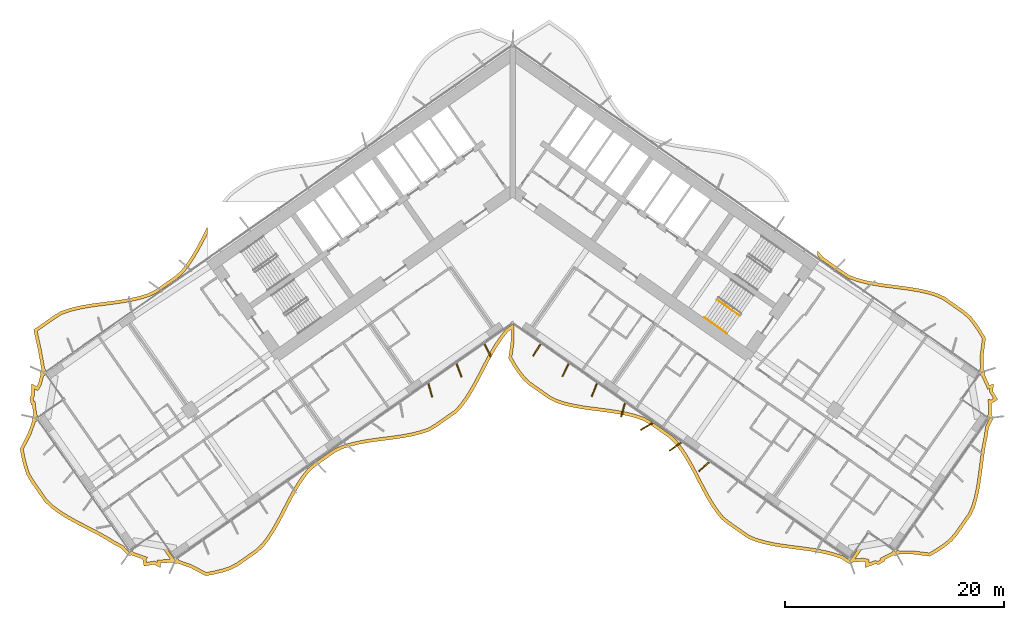
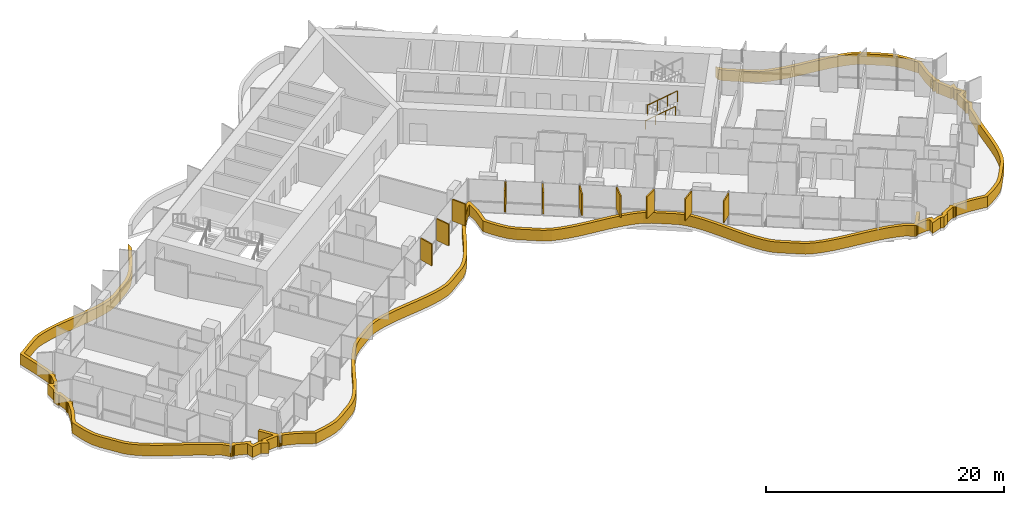
# One storey, part 21 of 24: 11 shading devices, 2 railings.
"""IFC4 building model written with IfcOpenShell, lengths in metres."""

from ifc_helpers import new_model, si_unit, direction, frame, origin, origin_2d, place, context, subcontext, project, spatial, polyline, rectangle, circle, outline, extrude, material, layer, layer_set, type_object, element, save


model = new_model("IFC4")

# Units and contexts
model_context = context("Model", 3, precision=1e-05, world=origin(), true_north=direction((0.0, 1.0)))
body_context = subcontext(model_context, "Body", "Model", "MODEL_VIEW")
ifc_project = project(units=[si_unit("LENGTHUNIT", "METRE"), si_unit("AREAUNIT", "SQUARE_METRE"), si_unit("VOLUMEUNIT", "CUBIC_METRE"), si_unit("PLANEANGLEUNIT", "RADIAN"), si_unit("MASSUNIT", "GRAM", prefix="KILO")], contexts=[model_context])

# Site, building, storey
site_placement = place(None, origin())
site = spatial("IfcSite", under=ifc_project, at=site_placement, CompositionType="ELEMENT")
building_placement = place(site_placement, origin())
building = spatial("IfcBuilding", under=site, at=building_placement, Name="Tel Ilan Convention Tower", CompositionType="ELEMENT")
storey_placement = place(building_placement, frame((0.0, 0.0, 65.300048828125)))
storey = spatial("IfcBuildingStorey", under=building, at=storey_placement, Name="L11", CompositionType="ELEMENT", Elevation=65.300048828125)

# Shading devices
ifc_material_1 = material(Name="Aluminium, bronze anodised", Category="aluminium")
ifc_layer_1 = layer(ifc_material_1, 0.1201171875)
ifc_layer_set_1 = layer_set([ifc_layer_1], Name="FIN BRONZE 1300x120")
shading_device_type_1 = type_object("IfcShadingDeviceType", Name="FIN BRONZE 1300x120", PredefinedType="USERDEFINED", material=ifc_layer_set_1)
for number, where, z_axis, x_axis, name in (
    (1, (-7.5244140625, -18.858642578125, 1.10009765625), (0.0, 0.0, 1.0), (0.268172612768, -0.963370878614, 0.0), "FIN"),
    (2, (-4.897705078125, -17.034912109375, 1.10009765625), (0.0, 0.0, 1.0), (0.360177724803, -0.932883704733, 0.0), "FIN"),
    (3, (-2.2734375, -15.205078125, 1.10009765625), (0.0, 0.0, 1.0), (0.448799180206, -0.893632640321, 0.0), "FIN"),
    (4, (2.221923828125, -15.16943359375, 1.10009765625), (0.0, 0.0, 1.0), (-0.533204432798, -0.845986425922, 0.0), "FIN"),
    (5, (4.843505859375, -17.004638671875, 1.10009765625), (0.0, 0.0, 1.0), (-0.448799180206, -0.893632640321, 0.0), "FIN"),
    (6, (7.4677734375, -18.83447265625, 1.10009765625), (0.0, 0.0, 1.0), (-0.360177724803, -0.932883704733, 0.0), "FIN"),
    (7, (10.09423828125, -20.658203125, 1.10009765625), (0.0, 0.0, 1.0), (-0.268172612768, -0.963370878614, 0.0), "FIN"),
    (8, (12.2724609375, -22.160888671875, 1.10009765625), (0.0, 0.0, 1.0), (-0.866025403784, -0.5, 0.0), "FIN"),
    (9, (14.879638671875, -24.009033203125, 1.10009765625), (0.0, 0.0, 1.0), (-0.813552070258, -0.581492071294, 0.0), "FIN"),
    (10, (17.491943359375, -25.853271484375, 1.10009765625), (0.0, 0.0, 1.0), (-0.753435896329, -0.657521368568, 0.0), "FIN"),
):
    element("IfcShadingDevice", number, at=place(storey_placement, frame(where, z_axis=z_axis, x_axis=x_axis)), inside=storey, type_object=shading_device_type_1, Name=name, ObjectType="FIN", PredefinedType="USERDEFINED", context=body_context, shape_type="SweptSolid", body=[
        extrude(rectangle(XDim=1.300048828125, YDim=0.1201171875, at=origin_2d()), origin(), (0.0, 0.0, 1.0), 2.219970703125),
    ])
ifc_material_2 = material(Name="Aluminium, bronze anodised", Category="aluminium")
ifc_layer_2 = layer(ifc_material_2, 0.300048828125)
ifc_layer_set_2 = layer_set([ifc_layer_2], Name="LOUVRE BAND 300x1100")
shading_device_type_2 = type_object("IfcShadingDeviceType", Name="LOUVRE BAND 300x1100", PredefinedType="USERDEFINED", material=ifc_layer_set_2)
shading_device_placement = place(storey_placement, origin())
element("IfcShadingDevice", 11, at=shading_device_placement, inside=storey, type_object=shading_device_type_2, Name="LOUVRE BAND 12.01", ObjectType="LOUVRE", PredefinedType="USERDEFINED", context=body_context, shape_type="SweptSolid", body=[
    extrude(outline(polyline([(-44.2939453125, -22.77490234375), (-45.028564453125, -24.204833984375), (-44.876953125, -25.01416015625), (-44.68408203125, -25.794677734375), (-44.4384765625, -26.538330078125), (-44.07080078125, -27.196533203125), (-42.7802734375, -29.03955078125), (-42.232421875, -29.571533203125), (-41.598876953125, -30.04345703125), (-40.91650390625, -30.481201171875), (-40.196533203125, -30.892822265625), (-39.45263671875, -31.287353515625), (-37.949462890625, -32.066162109375), (-37.219970703125, -32.470947265625), (-36.523681640625, -32.89892578125), (-35.783203125, -33.2958984375), (-35.26318359375, -33.847412109375), (-35.258544921875, -33.843994140625), (-35.2294921875, -33.887451171875), (-35.13232421875, -33.952392578125), (-35.017578125, -33.975341796875), (-34.902587890625, -33.952392578125), (-34.8486328125, -33.91650390625), (-33.810546875, -34.284912109375), (-33.821533203125, -34.302734375), (-33.688720703125, -34.9423828125), (-32.80029296875, -34.774658203125), (-32.20068359375, -35.082763671875), (-32.199462890625, -34.66796875), (-31.080322265625, -34.580810546875), (-31.051513671875, -34.624267578125), (-30.9541015625, -34.689208984375), (-30.83935546875, -34.7119140625), (-30.724365234375, -34.689208984375), (-30.67041015625, -34.653076171875), (-29.47802734375, -35.069091796875), (-28.049560546875, -35.822265625), (-27.250732421875, -35.676025390625), (-26.48095703125, -35.488525390625), (-25.74609375, -35.2509765625), (-25.0888671875, -34.90234375), (-23.27490234375, -33.63232421875), (-22.733642578125, -33.117919921875), (-22.262939453125, -32.50341796875), (-21.826416015625, -31.839599609375), (-21.4169921875, -31.13720703125), (-21.026123046875, -30.408935546875), (-20.2607421875, -28.927978515625), (-19.86669921875, -28.20361328125), (-19.45263671875, -27.5078125), (-19.010009765625, -26.85302734375), (-18.53173828125, -26.249267578125), (-17.96875, -25.76611328125), (-16.154541015625, -24.495849609375), (-15.474853515625, -24.1796875), (-14.732666015625, -23.952880859375), (-13.95654296875, -23.774169921875), (-13.154296875, -23.6328125), (-12.334716796875, -23.516357421875), (-10.681640625, -23.30322265625), (-9.86767578125, -23.178466796875), (-9.074951171875, -23.023681640625), (-8.3115234375, -22.8271484375), (-7.584228515625, -22.57861328125), (-6.9482421875, -22.2001953125), (-5.134033203125, -20.929931640625), (-4.616455078125, -20.38232421875), (-4.15283203125, -19.75732421875), (-3.722412109375, -19.0849609375), (-3.3173828125, -18.37646484375), (-2.9287109375, -17.644287109375), (-2.16259765625, -16.16455078125), (-1.765380859375, -15.44482421875), (-1.346435546875, -14.75634765625), (-0.897216796875, -14.110595703125), (-0.422119140625, -13.502197265625), (-0.16796875, -13.31494140625), (-0.15185546875, -14.322021484375), (-0.37109375, -15.922119140625), (0.03955078125, -16.62255859375), (0.47900390625, -17.281982421875), (0.95361328125, -17.89111328125), (1.505859375, -18.389404296875), (3.320068359375, -19.65966796875), (3.98828125, -19.9921875), (4.726806640625, -20.224609375), (5.499755859375, -20.407470703125), (6.2998046875, -20.552001953125), (7.1181640625, -20.67041015625), (8.771484375, -20.883056640625), (9.5869140625, -21.005615234375), (10.38232421875, -21.15673828125), (11.14892578125, -21.3486328125), (11.880126953125, -21.591796875), (12.5263671875, -21.95556640625), (14.340576171875, -23.225830078125), (14.8701171875, -23.75634765625), (15.337158203125, -24.376220703125), (15.770751953125, -25.044189453125), (16.177734375, -25.749755859375), (16.567626953125, -26.480224609375), (17.333251953125, -27.960693359375), (17.728759765625, -28.682861328125), (18.145263671875, -29.375), (18.59130859375, -30.025146484375), (19.073486328125, -30.62353515625), (19.646728515625, -31.091796875), (21.460693359375, -32.362060546875), (22.15234375, -32.6611328125), (22.898193359375, -32.883056640625), (23.67724609375, -33.057373046875), (24.481689453125, -33.19580078125), (25.302490234375, -33.310546875), (26.955078125, -33.5244140625), (27.767333984375, -33.6513671875), (28.5576171875, -33.809814453125), (29.31787109375, -34.010986328125), (30.052001953125, -34.24951171875), (30.667236328125, -34.65771484375), (30.67041015625, -34.653076171875), (30.724365234375, -34.689208984375), (30.83935546875, -34.7119140625), (30.9541015625, -34.689208984375), (31.051513671875, -34.624267578125), (31.080322265625, -34.580810546875), (32.01025390625, -34.49951171875), (32.267822265625, -34.55126953125), (32.20068359375, -35.082763671875), (33.17138671875, -34.73291015625), (33.477294921875, -34.794189453125), (34.032958984375, -34.450927734375), (33.979248046875, -34.3603515625), (34.8486328125, -33.91650390625), (34.902587890625, -33.952392578125), (35.017578125, -33.975341796875), (35.13232421875, -33.952392578125), (35.2294921875, -33.887451171875), (35.258544921875, -33.843994140625), (36.55078125, -33.833251953125), (38.145751953125, -34.034423828125), (38.8544921875, -33.615234375), (39.521728515625, -33.1669921875), (40.13671875, -32.681884765625), (40.62939453125, -32.111328125), (41.919921875, -30.268310546875), (42.232421875, -29.571533203125), (42.45947265625, -28.814697265625), (42.63720703125, -28.023681640625), (42.77783203125, -27.20654296875), (42.89404296875, -26.372314453125), (43.11181640625, -24.693603515625), (43.24267578125, -23.86962890625), (43.40673828125, -23.069091796875), (43.5263671875, -22.2373046875), (43.866943359375, -21.56005859375), (43.8623046875, -21.556884765625), (43.898193359375, -21.5029296875), (43.921142578125, -21.387939453125), (43.898193359375, -21.273193359375), (43.833251953125, -21.17578125), (43.7900390625, -21.14697265625), (43.78125, -20.04541015625), (43.8017578125, -20.049560546875), (44.357177734375, -19.7060546875), (43.89599609375, -18.9287109375), (43.98046875, -18.259765625), (43.590087890625, -18.400634765625), (43.12548828125, -17.378662109375), (43.16162109375, -17.32470703125), (43.184326171875, -17.2099609375), (43.16162109375, -17.094970703125), (43.096435546875, -16.997802734375), (43.05322265625, -16.96875), (43.041259765625, -15.681884765625), (43.245849609375, -14.085693359375), (42.828125, -13.378662109375), (42.38134765625, -12.712646484375), (41.898193359375, -12.098876953125), (41.330810546875, -11.605224609375), (39.492919921875, -10.318359375), (38.80126953125, -10.001953125), (38.0478515625, -9.774169921875), (37.260009765625, -9.595458984375), (36.44580078125, -9.4541015625), (35.614501953125, -9.337646484375), (33.940185546875, -9.120849609375), (33.117919921875, -8.99169921875), (32.318115234375, -8.830078125), (31.54931640625, -8.623779296875), (30.819091796875, -8.36279296875), (30.191162109375, -7.955810546875), (28.35693359375, -6.66357421875), (27.874755859375, -6.095458984375), (27.874755859375, -6.55908203125), (28.15234375, -6.88623046875), (30.0234375, -8.20458984375), (30.68505859375, -8.633544921875), (31.4599609375, -8.910400390625), (32.249267578125, -9.1220703125), (33.064697265625, -9.286865234375), (33.897216796875, -9.417724609375), (35.574951171875, -9.635009765625), (36.3994140625, -9.750732421875), (37.201171875, -9.8896484375), (37.97119140625, -10.064453125), (38.695068359375, -10.283447265625), (39.34326171875, -10.57958984375), (41.145751953125, -11.841796875), (41.679931640625, -12.306640625), (42.138427734375, -12.889404296875), (42.57421875, -13.53857421875), (42.935302734375, -14.149658203125), (42.740966796875, -15.66455078125), (42.75537109375, -16.87109375), (42.638671875, -17.037841796875), (42.88427734375, -17.2099609375), (42.712890625, -17.4560546875), (42.890625, -17.580322265625), (43.430908203125, -18.77685546875), (43.621337890625, -18.7080078125), (43.58544921875, -18.9931640625), (43.948974609375, -19.605712890625), (43.74462890625, -19.732177734375), (43.477294921875, -19.678466796875), (43.4921875, -21.049072265625), (43.37548828125, -21.216064453125), (43.62109375, -21.387939453125), (43.44970703125, -21.63427734375), (43.482421875, -21.656982421875), (43.236328125, -22.146240234375), (43.111083984375, -23.017578125), (42.947265625, -23.816162109375), (42.81494140625, -24.650390625), (42.5966796875, -26.332763671875), (42.481201171875, -27.160400390625), (42.343017578125, -27.96533203125), (42.1689453125, -28.73876953125), (41.95068359375, -29.466552734375), (41.657958984375, -30.11962890625), (40.392333984375, -31.9267578125), (39.928466796875, -32.464111328125), (39.344970703125, -32.92431640625), (38.6943359375, -33.361328125), (38.081298828125, -33.72412109375), (36.56787109375, -33.533203125), (35.3564453125, -33.54638671875), (35.189453125, -33.429443359375), (35.017578125, -33.67529296875), (34.771240234375, -33.50390625), (34.642822265625, -33.6875), (33.5576171875, -34.23779296875), (33.62451171875, -34.3505859375), (33.42041015625, -34.476806640625), (33.1484375, -34.422119140625), (32.559814453125, -34.634521484375), (32.600341796875, -34.31201171875), (32.026611328125, -34.19677734375), (31.310302734375, -34.26220703125), (32.117919921875, -33.109130859375), (31.8720703125, -32.93701171875), (30.83935546875, -34.412109375), (30.593505859375, -34.239990234375), (30.58935546875, -34.24609375), (30.183837890625, -33.976806640625), (29.402587890625, -33.722900390625), (28.62548828125, -33.517333984375), (27.81982421875, -33.35595703125), (26.997802734375, -33.227294921875), (25.342041015625, -33.01318359375), (24.52783203125, -32.8994140625), (23.735595703125, -32.76318359375), (22.973876953125, -32.592529296875), (22.255126953125, -32.378662109375), (21.60791015625, -32.0986328125), (19.827880859375, -30.852294921875), (19.287353515625, -30.410888671875), (18.83203125, -29.845947265625), (18.397705078125, -29.212646484375), (17.989013671875, -28.533203125), (17.597900390625, -27.8193359375), (16.833251953125, -26.3408203125), (16.440185546875, -25.604248046875), (16.026611328125, -24.8876953125), (15.583251953125, -24.2041015625), (15.09716796875, -23.55908203125), (14.5341796875, -22.9951171875), (12.6865234375, -21.701171875), (12.001953125, -21.316162109375), (11.23291015625, -21.060546875), (10.44677734375, -20.863525390625), (9.63720703125, -20.709716796875), (8.81298828125, -20.5859375), (7.15869140625, -20.373046875), (6.347900390625, -20.255859375), (5.56103515625, -20.11376953125), (4.806396484375, -19.93505859375), (4.100830078125, -19.713134765625), (3.4736328125, -19.401123046875), (1.693115234375, -18.154296875), (1.17431640625, -17.68603515625), (0.72265625, -17.106201171875), (0.294189453125, -16.46337890625), (-0.059814453125, -15.85986328125), (0.1484375, -14.340087890625), (0.12548828125, -12.906005859375), (0.0, -12.818115234375), (-0.63330078125, -13.285400390625), (-1.138916015625, -13.9326171875), (-1.597900390625, -14.592529296875), (-2.025146484375, -15.294189453125), (-2.427001953125, -16.022705078125), (-3.19482421875, -17.50537109375), (-3.580078125, -18.231689453125), (-3.979248046875, -18.929443359375), (-4.39990234375, -19.5869140625), (-4.8466796875, -20.189208984375), (-5.3310546875, -20.70166015625), (-7.111083984375, -21.947998046875), (-7.7109375, -22.304931640625), (-8.3974609375, -22.53955078125), (-9.14111328125, -22.73095703125), (-9.919189453125, -22.8828125), (-10.723876953125, -23.006103515625), (-12.374755859375, -23.218994140625), (-13.201416015625, -23.33642578125), (-14.016357421875, -23.47998046875), (-14.810302734375, -23.662841796875), (-15.58251953125, -23.89892578125), (-16.30517578125, -24.235107421875), (-18.15283203125, -25.52880859375), (-18.748779296875, -26.040283203125), (-19.252197265625, -26.675537109375), (-19.7060546875, -27.346923828125), (-20.12744140625, -28.05517578125), (-20.525634765625, -28.787109375), (-21.29150390625, -30.26904296875), (-21.678955078125, -30.99072265625), (-22.08154296875, -31.681640625), (-22.507568359375, -32.32958984375), (-22.95751953125, -32.916748046875), (-23.46533203125, -33.3994140625), (-25.245849609375, -34.64599609375), (-25.86328125, -34.9736328125), (-26.5625, -35.19970703125), (-27.313232421875, -35.38232421875), (-28.00146484375, -35.508544921875), (-29.3583984375, -34.79296875), (-30.477294921875, -34.406005859375), (-30.593505859375, -34.239990234375), (-30.83935546875, -34.412109375), (-31.8720703125, -32.93701171875), (-32.117919921875, -33.109130859375), (-31.28515625, -34.29833984375), (-32.498779296875, -34.3896484375), (-32.499267578125, -34.59228515625), (-32.7548828125, -34.4609375), (-33.454833984375, -34.593017578125), (-33.503662109375, -34.35791015625), (-33.361572265625, -34.124755859375), (-34.655029296875, -33.669921875), (-34.771240234375, -33.50390625), (-35.017578125, -33.67529296875), (-35.189453125, -33.429443359375), (-35.222900390625, -33.452880859375), (-35.598388671875, -33.054443359375), (-36.374267578125, -32.638671875), (-37.068603515625, -32.211669921875), (-37.807373046875, -31.802001953125), (-39.313720703125, -31.021240234375), (-40.052001953125, -30.6298828125), (-40.760986328125, -30.224609375), (-41.42822265625, -29.796630859375), (-42.03759765625, -29.342529296875), (-42.551025390625, -28.84423828125), (-43.81640625, -27.036865234375), (-44.16259765625, -26.4169921875), (-44.3955078125, -25.71142578125), (-44.583740234375, -24.950439453125), (-44.71484375, -24.25048828125), (-44.017822265625, -22.8935546875), (-43.61572265625, -21.75048828125), (-43.44970703125, -21.63427734375), (-43.62109375, -21.387939453125), (-43.37548828125, -21.216064453125), (-43.50439453125, -21.03173828125), (-43.650390625, -19.823974609375), (-43.779296875, -19.84814453125), (-43.828125, -19.613037109375), (-43.683837890625, -19.376220703125), (-43.681884765625, -18.75048828125), (-43.392822265625, -18.89892578125), (-43.088134765625, -18.399169921875), (-42.8681640625, -17.564697265625), (-42.712890625, -17.4560546875), (-42.88427734375, -17.2099609375), (-42.638671875, -17.037841796875), (-42.772705078125, -16.846435546875), (-43.07080078125, -15.1611328125), (-43.445556640625, -13.4521484375), (-41.779296875, -12.285400390625), (-41.1748046875, -11.917724609375), (-40.481201171875, -11.678466796875), (-39.728515625, -11.483642578125), (-38.940185546875, -11.32958984375), (-38.125, -11.204833984375), (-36.4521484375, -10.9892578125), (-35.61474609375, -10.869140625), (-34.790283203125, -10.7216796875), (-33.988037109375, -10.532958984375), (-33.2060546875, -10.2880859375), (-32.48779296875, -9.93017578125), (-30.61474609375, -8.61865234375), (-30.02783203125, -8.073974609375), (-29.527587890625, -7.424560546875), (-29.074462890625, -6.73681640625), (-28.652587890625, -6.013916015625), (-28.2529296875, -5.268798828125), (-27.874755859375, -4.535400390625), (-27.874755859375, -3.883544921875), (-28.518310546875, -5.129150390625), (-28.91455078125, -5.8671875), (-29.329345703125, -6.57861328125), (-29.772216796875, -7.250244140625), (-30.250244140625, -7.87109375), (-30.8037109375, -8.384765625), (-32.6416015625, -9.671630859375), (-33.318603515625, -10.0087890625), (-34.067138671875, -10.243408203125), (-34.85107421875, -10.427734375), (-35.66259765625, -10.572998046875), (-36.4921875, -10.69189453125), (-38.167236328125, -10.90771484375), (-38.99169921875, -11.033935546875), (-39.794921875, -11.19091796875), (-40.56787109375, -11.390869140625), (-41.30322265625, -11.64453125), (-41.943359375, -12.0341796875), (-43.78125, -13.321044921875), (-43.364990234375, -15.219482421875), (-43.05322265625, -16.96875), (-43.096435546875, -16.997802734375), (-43.16162109375, -17.094970703125), (-43.184326171875, -17.2099609375), (-43.16162109375, -17.32470703125), (-43.12548828125, -17.378662109375), (-43.3671875, -18.2802734375), (-43.50390625, -18.504638671875), (-43.98046875, -18.259765625), (-43.9833984375, -19.291748046875), (-44.14599609375, -19.55810546875), (-44.01318359375, -20.197509765625), (-43.90966796875, -20.177978515625), (-43.7900390625, -21.14697265625), (-43.833251953125, -21.17578125), (-43.898193359375, -21.273193359375), (-43.921142578125, -21.387939453125), (-43.898193359375, -21.5029296875), (-43.8623046875, -21.556884765625), (-44.2939453125, -22.77490234375)])), origin(), (0.0, 0.0, 1.0), 1.099853515625),
])

# Railings
ifc_material_3 = material(Name="Stainless Steel Grade 316", Category="steel")
railing_type_1 = type_object("IfcRailingType", Name="Stainless Steel Stair Guard 1100 mm", PredefinedType="GUARDRAIL", material=ifc_material_3)
railing_1_placement = place(storey_placement, frame((18.689208984375, -10.583740234375, 1.97998046875)))
element("IfcRailing", 12, at=railing_1_placement, inside=storey, type_object=railing_type_1, Name="L11 S4 stair guard 3", PredefinedType="GUARDRAIL", context=body_context, shape_type="SweptSolid", body=[
    extrude(circle(Radius=0.02392578125, at=origin_2d()), frame((0.0, 0.0, 1.076171875), z_axis=(0.689086176785, -0.482507007183, 0.540691436018), x_axis=(0.573579365141, 0.81914999352, 0.0)), (0.0, 0.0, 1.0), 2.995849609375),
    extrude(circle(Radius=0.02099609375, at=origin_2d()), origin(), (0.0, 0.0, 1.0), 1.052001953125),
    extrude(circle(Radius=0.02099609375, at=origin_2d()), frame((0.688232421875, -0.48193359375, 0.5400390625)), (0.0, 0.0, 1.0), 1.052001953125),
    extrude(circle(Radius=0.02099609375, at=origin_2d()), frame((1.376220703125, -0.963623046875, 1.079833984375)), (0.0, 0.0, 1.0), 1.052001953125),
    extrude(circle(Radius=0.02099609375, at=origin_2d()), frame((2.064453125, -1.445556640625, 1.619873046875)), (0.0, 0.0, 1.0), 1.052001953125),
])
ifc_material_4 = material(Name="Stainless Steel Grade 316", Category="steel")
railing_type_2 = type_object("IfcRailingType", Name="Stainless Steel Stair Handrail 900 mm", PredefinedType="HANDRAIL", material=ifc_material_4)
railing_2_placement = place(storey_placement, frame((17.542236328125, -12.22216796875, 1.97998046875)))
element("IfcRailing", 13, at=railing_2_placement, inside=storey, type_object=railing_type_2, Name="L11 S4 stair handrail 2", PredefinedType="HANDRAIL", context=body_context, shape_type="SweptSolid", body=[
    extrude(circle(Radius=0.02392578125, at=origin_2d()), frame((0.0, 0.0, 0.8759765625), z_axis=(0.68907047291, -0.482471578903, 0.540743061828), x_axis=(0.573559875649, 0.819163639968, 0.0)), (0.0, 0.0, 1.0), 2.99560546875),
    extrude(circle(Radius=0.02099609375, at=origin_2d()), origin(), (0.0, 0.0, 1.0), 0.851806640625),
    extrude(circle(Radius=0.02099609375, at=origin_2d()), frame((0.68798828125, -0.481689453125, 0.5400390625)), (0.0, 0.0, 1.0), 0.851806640625),
    extrude(circle(Radius=0.02099609375, at=origin_2d()), frame((1.376220703125, -0.963623046875, 1.079833984375)), (0.0, 0.0, 1.0), 0.851806640625),
    extrude(circle(Radius=0.02099609375, at=origin_2d()), frame((2.064208984375, -1.4453125, 1.619873046875)), (0.0, 0.0, 1.0), 0.851806640625),
])

save(model, "model.ifc")
